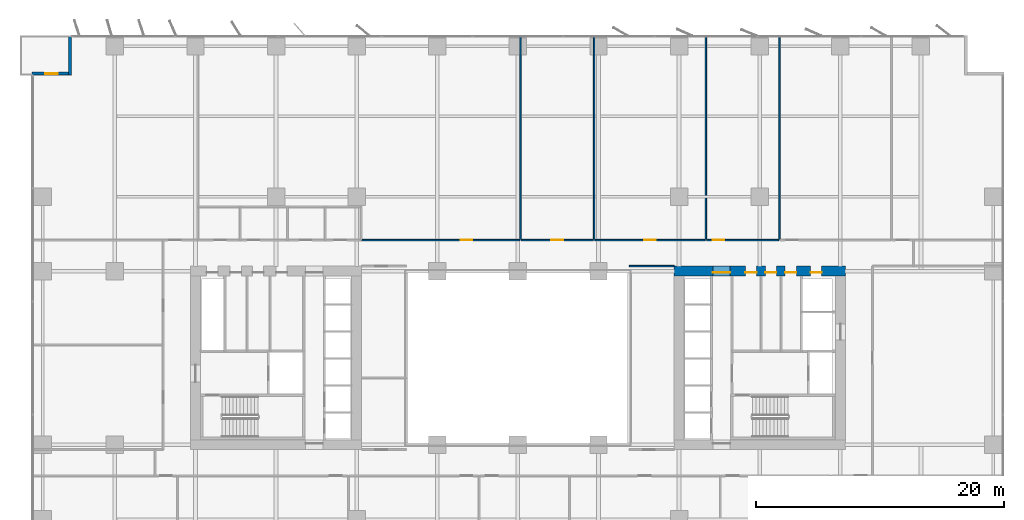
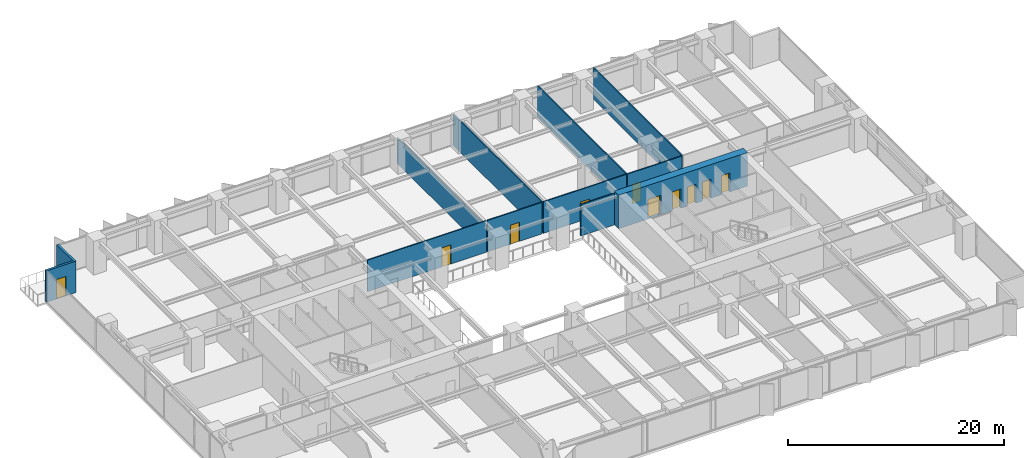
# One storey, part 15 of 20: 12 walls, 10 doors, 10 openings.
"""IFC4 building model written with IfcOpenShell, lengths in metres."""

import ifcopenshell
import ifcopenshell.guid

model = None  # the IFC model being written
_history = None  # IfcOwnerHistory: only IFC2X3 demands one
_inside = {}  # id of a spatial element -> (the spatial element, [elements in it])
_under = {}  # id of a project, library or spatial element -> (it, [spatial elements below it])
_declared = {}  # id of a project -> (the project, [libraries it declares])
_typed = {}  # id of a type object -> (the type object, [elements of that type])
_made_of = {}  # id of a material, layer set ... -> (it, [elements and type objects made of it])


def new_model(schema):
    """Start an empty IFC model of exactly this schema.

    Asked for "IFC4X3", IfcOpenShell would pick the latest addendum, in which some entities
    have other attributes; the version numbers below select the first issue.
    IFC2X3 requires an IfcOwnerHistory on every rooted entity: one is made here for all.
    """
    global model, _history
    if schema == "IFC4X3":
        model = ifcopenshell.file(schema_version=(4, 3, 0, 0))
    else:
        model = ifcopenshell.file(schema=schema)
    _inside.clear()
    _under.clear()
    _declared.clear()
    _typed.clear()
    _made_of.clear()
    _history = None
    if model.schema == "IFC2X3":
        org = make("IfcOrganization", Name="unknown")
        user = make(
            "IfcPersonAndOrganization",
            ThePerson=make("IfcPerson", FamilyName="unknown"),
            TheOrganization=org,
        )
        app = make(
            "IfcApplication",
            ApplicationDeveloper=org,
            Version="unknown",
            ApplicationFullName="unknown",
            ApplicationIdentifier="unknown",
        )
        _history = make(
            "IfcOwnerHistory",
            OwningUser=user,
            OwningApplication=app,
            ChangeAction="ADDED",
            CreationDate=0,
        )
    return model


def make(cls, **values):
    """One entity of the class cls with the attributes given. An attribute that is None is left unset."""
    return model.create_entity(
        cls, **{name: value for name, value in values.items() if value is not None}
    )


def rooted(cls, **values):
    """An entity with a GlobalId (a new one), such as an element, a storey or a relation."""
    return make(cls, GlobalId=ifcopenshell.guid.new(), OwnerHistory=_history, **values)


def si_unit(unit_type, name, prefix=None):
    """IfcSIUnit, for example si_unit("LENGTHUNIT", "METRE", prefix="MILLI")."""
    return make("IfcSIUnit", UnitType=unit_type, Prefix=prefix, Name=name)


def assignment(units):
    """IfcUnitAssignment: the units of a project."""
    return None if units is None else make("IfcUnitAssignment", Units=units)


def point(xyz):
    """IfcCartesianPoint."""
    return None if xyz is None else make("IfcCartesianPoint", Coordinates=xyz)


def direction(xyz):
    """IfcDirection."""
    return None if xyz is None else make("IfcDirection", DirectionRatios=xyz)


def frame(location, z_axis=None, x_axis=None):
    """IfcAxis2Placement3D, a coordinate frame: its origin and axes. An axis left out is left unset."""
    return make(
        "IfcAxis2Placement3D",
        Location=point(location),
        Axis=direction(z_axis),
        RefDirection=direction(x_axis),
    )


def frame_2d(location, x_axis=None):
    """IfcAxis2Placement2D, a coordinate frame in the plane: its origin and x axis."""
    return make(
        "IfcAxis2Placement2D", Location=point(location), RefDirection=direction(x_axis)
    )


def origin():
    """The frame at (0, 0, 0) with its axes left unset."""
    return frame((0.0, 0.0, 0.0))


def place(relative_to, where):
    """IfcLocalPlacement: puts the frame where relative to a parent placement (None: the world)."""
    return make(
        "IfcLocalPlacement", PlacementRelTo=relative_to, RelativePlacement=where
    )


def context(
    kind, dimensions, precision=None, world=None, true_north=None, identifier=None
):
    """IfcGeometricRepresentationContext, for example the 3D "Model" context."""
    return make(
        "IfcGeometricRepresentationContext",
        ContextIdentifier=identifier,
        ContextType=kind,
        CoordinateSpaceDimension=dimensions,
        Precision=precision,
        WorldCoordinateSystem=world,
        TrueNorth=true_north,
    )


def subcontext(parent, identifier, kind, view, scale=None):
    """IfcGeometricRepresentationSubContext, for example "Body" below "Model"."""
    return make(
        "IfcGeometricRepresentationSubContext",
        ContextIdentifier=identifier,
        ContextType=kind,
        ParentContext=parent,
        TargetScale=scale,
        TargetView=view,
    )


def project(units=None, contexts=None):
    """IfcProject with its units and contexts."""
    return rooted(
        "IfcProject",
        Name="project",
        RepresentationContexts=contexts,
        UnitsInContext=assignment(units),
    )


def spatial(cls, under=None, at=None, **own):
    """A site, building, storey or space (cls), placed at a placement, below another one or the project."""
    s = rooted(cls, ObjectPlacement=at, **own)
    if under is not None:
        _under.setdefault(under.id(), (under, []))[1].append(s)
    return s


def profile(cls, at=None, kind="AREA", **sizes):
    """A parametric profile (cls). Its sizes go by their IFC names, for example OverallWidth=200.0."""
    return make(cls, ProfileType=kind, Position=at, **sizes)


def rectangle(**sizes):
    """IfcRectangleProfileDef."""
    return profile("IfcRectangleProfileDef", **sizes)


def extrude(swept, where, along, depth):
    """IfcExtrudedAreaSolid: the profile swept, set in the frame where, extruded along a direction by depth."""
    return make(
        "IfcExtrudedAreaSolid",
        SweptArea=swept,
        Position=where,
        ExtrudedDirection=direction(along),
        Depth=depth,
    )


def shape(context_of_items, identifier, shape_type, items):
    """IfcShapeRepresentation: the items that make up one representation, for example the "Body"."""
    return make(
        "IfcShapeRepresentation",
        ContextOfItems=context_of_items,
        RepresentationIdentifier=identifier,
        RepresentationType=shape_type,
        Items=items,
    )


def material(Name=None, Category=None):
    """IfcMaterial."""
    return make("IfcMaterial", Name=Name, Category=Category)


def layer(
    of_material, thickness, ventilated=None, Name=None, Category=None, Priority=None
):
    """IfcMaterialLayer: one layer of a wall or slab, of a material (None: an air gap)."""
    return make(
        "IfcMaterialLayer",
        Material=of_material,
        LayerThickness=thickness,
        IsVentilated=ventilated,
        Name=Name,
        Category=Category,
        Priority=Priority,
    )


def layer_set(layers, Name=None):
    """IfcMaterialLayerSet."""
    return make("IfcMaterialLayerSet", MaterialLayers=layers, LayerSetName=Name)


def made_of(thing, what):
    """Note that an element or type object is made of a material, layer set ...; save() writes the relation."""
    if what is not None:
        _made_of.setdefault(what.id(), (what, []))[1].append(thing)
    return thing


def type_object(cls, material=None, **own):
    """A type object (cls), such as IfcWallType, which elements share."""
    return made_of(rooted(cls, **own), material)


def element(
    cls,
    number,
    at=None,
    inside=None,
    cuts=None,
    type_object=None,
    material=None,
    context=None,
    identifier="Body",
    shape_type=None,
    held_by="IfcProductDefinitionShape",
    body=None,
    shapes=None,
    **own,
):
    """One element of the class cls, such as IfcWall. Its Tag is "e" and its number.

    at: its placement. inside: the storey or other place that contains it. cuts: it is an
    opening in that element (IfcRelVoidsElement). A single representation is given by context,
    identifier, shape_type and body (its items); several are given by shapes. held_by: the class
    of the entity that holds the representations. save() writes the other relations.
    """
    e = rooted(cls, Tag="e%d" % number, ObjectPlacement=at, **own)
    if body is not None:
        shapes = [shape(context, identifier, shape_type, body)]
    if shapes is not None:
        e.Representation = make(held_by, Representations=shapes)
    if inside is not None:
        _inside.setdefault(inside.id(), (inside, []))[1].append(e)
    if cuts is not None:
        rooted(
            "IfcRelVoidsElement", RelatingBuildingElement=cuts, RelatedOpeningElement=e
        )
    if type_object is not None:
        _typed.setdefault(type_object.id(), (type_object, []))[1].append(e)
    return made_of(e, material)


def fill(opening, filler):
    """IfcRelFillsElement: the door or window that sits in an opening."""
    return rooted(
        "IfcRelFillsElement",
        RelatingOpeningElement=opening,
        RelatedBuildingElement=filler,
    )


def aggregate(whole, parts):
    """IfcRelAggregates: a whole, such as a stair, and the parts it consists of."""
    return rooted("IfcRelAggregates", RelatingObject=whole, RelatedObjects=parts)


def save(model, path):
    """Write the relations noted so far, then the file.

    IfcRelAggregates (storeys below a building ...), IfcRelContainedInSpatialStructure (elements
    in a storey), IfcRelDefinesByType, IfcRelAssociatesMaterial and IfcRelDeclares: one each for
    every whole, place, type object, material and project.
    """
    for whole, parts in _under.values():
        aggregate(whole, parts)
    for where, things in _inside.values():
        rooted(
            "IfcRelContainedInSpatialStructure",
            RelatedElements=things,
            RelatingStructure=where,
        )
    for kind, things in _typed.values():
        rooted("IfcRelDefinesByType", RelatedObjects=things, RelatingType=kind)
    for what, things in _made_of.values():
        rooted("IfcRelAssociatesMaterial", RelatedObjects=things, RelatingMaterial=what)
    for by, libraries in _declared.values():
        rooted("IfcRelDeclares", RelatingContext=by, RelatedDefinitions=libraries)
    model.write(path)


model = new_model("IFC4")

# Units and contexts
model_context = context("Model", 3, precision=1e-05, world=origin(), true_north=direction((0.0, 1.0)))
body_context = subcontext(model_context, "Body", "Model", "MODEL_VIEW")
ifc_project = project(units=[si_unit("LENGTHUNIT", "METRE"), si_unit("AREAUNIT", "SQUARE_METRE"), si_unit("VOLUMEUNIT", "CUBIC_METRE"), si_unit("PLANEANGLEUNIT", "RADIAN"), si_unit("MASSUNIT", "GRAM", prefix="KILO")], contexts=[model_context])

# Site, building, storey
site_placement = place(None, origin())
site = spatial("IfcSite", under=ifc_project, at=site_placement, CompositionType="ELEMENT")
building_placement = place(site_placement, origin())
building = spatial("IfcBuilding", under=site, at=building_placement, Name="Putna Gate Headquarters", CompositionType="ELEMENT")
storey_placement = place(building_placement, frame((0.0, 0.0, 73.39990234375)))
storey = spatial("IfcBuildingStorey", under=building, at=storey_placement, Name="L17", CompositionType="ELEMENT", Elevation=73.39990234375)

# Wall, openings, doors
ifc_material_1 = material(Name="Concrete C60/75", Category="concrete")
ifc_layer_1 = layer(ifc_material_1, 0.800048828125)
ifc_layer_set_1 = layer_set([ifc_layer_1], Name="Concrete C60/75")
wall_type_1 = type_object("IfcWallType", Name="WALL-CORE-800", PredefinedType="SHEAR", material=ifc_layer_set_1)
wall_1_placement = place(storey_placement, frame((51.60009765625, 33.0, 0.0), z_axis=(0.0, 0.0, 1.0), x_axis=(1.0, 0.0, 0.0)))
wall_1 = element("IfcWall", 1, at=wall_1_placement, inside=storey, type_object=wall_type_1, Name="L17 EC Split Core Shear Wall N", PredefinedType="SHEAR", context=body_context, shape_type="SweptSolid", body=[
    extrude(rectangle(XDim=13.7998046875, YDim=0.800048828125, at=frame_2d((6.89990234375, 0.0))), origin(), (0.0, 0.0, 1.0), 3.800048828125),
])
opening_1_placement = place(wall_1_placement, frame((3.1201171875, 0.0, 0.0)))
opening_1 = element("IfcOpeningElement", 2, at=opening_1_placement, cuts=wall_1, Name="Opening FDD-140", PredefinedType="OPENING", context=body_context, shape_type="SweptSolid", body=[
    extrude(rectangle(XDim=1.39990234375, YDim=2.199951171875, at=frame_2d((0.699951171875, 1.10009765625))), frame((0.0, 0.409912109375, 0.0), z_axis=(0.0, -1.0, 0.0), x_axis=(1.0, 0.0, 0.0)), (0.0, 0.0, 1.0), 0.820068359375),
])
opening_2_placement = place(wall_1_placement, frame((11.0, 0.0, 0.0)))
opening_2 = element("IfcOpeningElement", 3, at=opening_2_placement, cuts=wall_1, Name="Opening RD-90", PredefinedType="OPENING", context=body_context, shape_type="SweptSolid", body=[
    extrude(rectangle(XDim=0.89990234375, YDim=2.14990234375, at=frame_2d((0.449951171875, 1.074951171875))), frame((0.0, 0.409912109375, 0.0), z_axis=(0.0, -1.0, 0.0), x_axis=(1.0, 0.0, 0.0)), (0.0, 0.0, 1.0), 0.820068359375),
])
opening_3_placement = place(wall_1_placement, frame((5.75, 0.0, 0.0)))
opening_3 = element("IfcOpeningElement", 4, at=opening_3_placement, cuts=wall_1, Name="Opening IDS-90", PredefinedType="OPENING", context=body_context, shape_type="SweptSolid", body=[
    extrude(rectangle(XDim=0.89990234375, YDim=2.14990234375, at=frame_2d((0.449951171875, 1.074951171875))), frame((0.0, 0.409912109375, 0.0), z_axis=(0.0, -1.0, 0.0), x_axis=(1.0, 0.0, 0.0)), (0.0, 0.0, 1.0), 0.820068359375),
])
opening_4_placement = place(wall_1_placement, frame((7.35009765625, 0.0, 0.0)))
opening_4 = element("IfcOpeningElement", 5, at=opening_4_placement, cuts=wall_1, Name="Opening IDS-90", PredefinedType="OPENING", context=body_context, shape_type="SweptSolid", body=[
    extrude(rectangle(XDim=0.89990234375, YDim=2.14990234375, at=frame_2d((0.449951171875, 1.074951171875))), frame((0.0, 0.409912109375, 0.0), z_axis=(0.0, -1.0, 0.0), x_axis=(1.0, 0.0, 0.0)), (0.0, 0.0, 1.0), 0.820068359375),
])
opening_5_placement = place(wall_1_placement, frame((8.949951171875, 0.0, 0.0)))
opening_5 = element("IfcOpeningElement", 6, at=opening_5_placement, cuts=wall_1, Name="Opening IDS-90", PredefinedType="OPENING", context=body_context, shape_type="SweptSolid", body=[
    extrude(rectangle(XDim=0.89990234375, YDim=2.14990234375, at=frame_2d((0.449951171875, 1.074951171875))), frame((0.0, 0.409912109375, 0.0), z_axis=(0.0, -1.0, 0.0), x_axis=(1.0, 0.0, 0.0)), (0.0, 0.0, 1.0), 0.820068359375),
])
ifc_material_2 = material(Name="Double steel fire door", Category="steel")
door_type_1 = type_object("IfcDoorType", Name="DOOR-FIRE-DBL-1400", OperationType="DOUBLE_DOOR_SINGLE_SWING", PredefinedType="DOOR", material=ifc_material_2)
door_1_placement = place(opening_1_placement, origin())
door_1 = element("IfcDoor", 7, at=door_1_placement, inside=storey, type_object=door_type_1, Name="L17 East Lift Lobby North Door", OperationType="DOUBLE_DOOR_SINGLE_SWING", OverallHeight=2.199951171875, OverallWidth=1.39990234375, PredefinedType="DOOR", context=body_context, shape_type="SweptSolid", body=[
    extrude(rectangle(XDim=1.39990234375, YDim=2.199951171875, at=frame_2d((0.699951171875, 1.10009765625))), frame((0.0, -0.0751953125, 0.0), z_axis=(0.0, -1.0, 0.0), x_axis=(1.0, 0.0, 0.0)), (0.0, 0.0, 1.0), 0.050048828125),
])
fill(opening_1, door_1)
ifc_material_3 = material(Name="Fire-rated utility door")
door_type_2 = type_object("IfcDoorType", Name="DOOR-INT-900", OperationType="NOTDEFINED", PredefinedType="DOOR", material=ifc_material_3)
door_2_placement = place(opening_3_placement, origin())
door_2 = element("IfcDoor", 8, at=door_2_placement, inside=storey, type_object=door_type_2, Name="L17 East Cleaner Store Door", OperationType="SINGLE_SWING_RIGHT", OverallHeight=2.14990234375, OverallWidth=0.89990234375, PredefinedType="DOOR", context=body_context, shape_type="SweptSolid", body=[
    extrude(rectangle(XDim=0.89990234375, YDim=2.14990234375, at=frame_2d((0.449951171875, 1.074951171875))), frame((0.0, -0.0751953125, 0.0), z_axis=(0.0, -1.0, 0.0), x_axis=(1.0, 0.0, 0.0)), (0.0, 0.0, 1.0), 0.050048828125),
])
fill(opening_3, door_2)
door_3_placement = place(opening_4_placement, origin())
door_3 = element("IfcDoor", 9, at=door_3_placement, inside=storey, type_object=door_type_2, Name="L17 BMS Outstation Door", OperationType="SINGLE_SWING_LEFT", OverallHeight=2.14990234375, OverallWidth=0.89990234375, PredefinedType="DOOR", context=body_context, shape_type="SweptSolid", body=[
    extrude(rectangle(XDim=0.89990234375, YDim=2.14990234375, at=frame_2d((0.449951171875, 1.074951171875))), frame((0.0, -0.0751953125, 0.0), z_axis=(0.0, -1.0, 0.0), x_axis=(1.0, 0.0, 0.0)), (0.0, 0.0, 1.0), 0.050048828125),
])
fill(opening_4, door_3)
door_4_placement = place(opening_5_placement, origin())
door_4 = element("IfcDoor", 10, at=door_4_placement, inside=storey, type_object=door_type_2, Name="L17 Facilities Equipment Store Door", OperationType="SINGLE_SWING_RIGHT", OverallHeight=2.14990234375, OverallWidth=0.89990234375, PredefinedType="DOOR", context=body_context, shape_type="SweptSolid", body=[
    extrude(rectangle(XDim=0.89990234375, YDim=2.14990234375, at=frame_2d((0.449951171875, 1.074951171875))), frame((0.0, -0.0751953125, 0.0), z_axis=(0.0, -1.0, 0.0), x_axis=(1.0, 0.0, 0.0)), (0.0, 0.0, 1.0), 0.050048828125),
])
fill(opening_5, door_4)
ifc_material_4 = material(Name="Steel riser access fire door", Category="steel")
door_type_3 = type_object("IfcDoorType", Name="DOOR-RISER-900", OperationType="NOTDEFINED", PredefinedType="DOOR", material=ifc_material_4)
door_5_placement = place(opening_2_placement, origin())
door_5 = element("IfcDoor", 11, at=door_5_placement, inside=storey, type_object=door_type_3, Name="L17 East Riser Access Door", OperationType="SINGLE_SWING_LEFT", OverallHeight=2.14990234375, OverallWidth=0.89990234375, PredefinedType="DOOR", context=body_context, shape_type="SweptSolid", body=[
    extrude(rectangle(XDim=0.89990234375, YDim=2.14990234375, at=frame_2d((0.449951171875, 1.074951171875))), frame((0.0, -0.0751953125, 0.0), z_axis=(0.0, -1.0, 0.0), x_axis=(1.0, 0.0, 0.0)), (0.0, 0.0, 1.0), 0.050048828125),
])
fill(opening_2, door_5)

# Wall
ifc_material_5 = material(Name="Precast concrete C40/50", Category="concrete")
ifc_layer_2 = layer(ifc_material_5, 0.239990234375)
ifc_layer_set_2 = layer_set([ifc_layer_2], Name="Precast concrete C40/50")
wall_type_2 = type_object("IfcWallType", Name="WALL-EXT-TERR-240", PredefinedType="STANDARD", material=ifc_layer_set_2)
wall_2_placement = place(storey_placement, frame((2.8798828125, 48.800048828125, 0.0), z_axis=(0.0, 0.0, 1.0), x_axis=(0.0, 1.0, 0.0)))
element("IfcWall", 12, at=wall_2_placement, inside=storey, type_object=wall_type_2, Name="L17 Corner Notch Return Wall NW-V", PredefinedType="STANDARD", context=body_context, shape_type="SweptSolid", body=[
    extrude(rectangle(XDim=3.199951171875, YDim=0.239990234375, at=frame_2d((1.60009765625, 0.0))), origin(), (0.0, 0.0, 1.0), 3.550048828125),
])

# Wall, opening, door
wall_3_placement = place(storey_placement, frame((-0.199951171875, 48.919921875, 0.0), z_axis=(0.0, 0.0, 1.0), x_axis=(1.0, 0.0, 0.0)))
wall_3 = element("IfcWall", 13, at=wall_3_placement, inside=storey, type_object=wall_type_2, Name="L17 Corner Notch Return Wall NW-H", PredefinedType="STANDARD", context=body_context, shape_type="SweptSolid", body=[
    extrude(rectangle(XDim=3.199951171875, YDim=0.239990234375, at=frame_2d((1.60009765625, 0.0))), origin(), (0.0, 0.0, 1.0), 3.550048828125),
])
opening_6_placement = place(wall_3_placement, frame((1.10009765625, 0.0, 0.0)))
opening_6 = element("IfcOpeningElement", 14, at=opening_6_placement, cuts=wall_3, Name="Opening TRD-1", PredefinedType="OPENING", context=body_context, shape_type="SweptSolid", body=[
    extrude(rectangle(XDim=1.0, YDim=2.199951171875, at=frame_2d((0.5, 1.10009765625))), frame((0.0, 0.1298828125, 0.0), z_axis=(0.0, -1.0, 0.0), x_axis=(1.0, 0.0, 0.0)), (0.0, 0.0, 1.0), 0.260009765625),
])
ifc_material_6 = material(Name="Thermally broken bronze glazed terrace door")
door_type_4 = type_object("IfcDoorType", Name="DOOR-TERR-EXT-1000", OperationType="NOTDEFINED", PredefinedType="DOOR", material=ifc_material_6)
door_6_placement = place(opening_6_placement, origin())
door_6 = element("IfcDoor", 15, at=door_6_placement, inside=storey, type_object=door_type_4, Name="L17 Spiral Sky Terrace Door NW", OperationType="SINGLE_SWING_RIGHT", OverallHeight=2.199951171875, OverallWidth=1.0, PredefinedType="DOOR", context=body_context, shape_type="SweptSolid", body=[
    extrude(rectangle(XDim=1.0, YDim=2.199951171875, at=frame_2d((0.5, 1.10009765625))), frame((0.0, 0.02490234375, 0.0), z_axis=(0.0, -1.0, 0.0), x_axis=(1.0, 0.0, 0.0)), (0.0, 0.0, 1.0), 0.050048828125),
])
fill(opening_6, door_6)

# Walls
ifc_material_7 = material(Name="Acoustic gypsum board on metal stud")
ifc_layer_3 = layer(ifc_material_7, 0.1201171875)
ifc_layer_set_3 = layer_set([ifc_layer_3], Name="Acoustic gypsum board on metal stud")
wall_type_3 = type_object("IfcWallType", Name="WALL-PART-120", PredefinedType="PARTITIONING", material=ifc_layer_set_3)
wall_4_placement = place(storey_placement, frame((48.0, 33.39990234375, 0.0), z_axis=(0.0, 0.0, 1.0), x_axis=(1.0, 0.0, 0.0)))
element("IfcWall", 16, at=wall_4_placement, inside=storey, type_object=wall_type_3, Name="L17 Interior Wall PART-L17-ATR-E-N", PredefinedType="PARTITIONING", context=body_context, shape_type="SweptSolid", body=[
    extrude(rectangle(XDim=3.60009765625, YDim=0.1201171875, at=frame_2d((1.800048828125, 0.0))), origin(), (0.0, 0.0, 1.0), 3.550048828125),
])
wall_5_placement = place(storey_placement, frame((39.199951171875, 35.56005859375, 0.0), z_axis=(0.0, 0.0, 1.0), x_axis=(0.0, 1.0, 0.0)))
element("IfcWall", 17, at=wall_5_placement, inside=storey, type_object=wall_type_3, Name="L17 Interior Wall PART-L17-NB-DIV-02", PredefinedType="PARTITIONING", context=body_context, shape_type="SweptSolid", body=[
    extrude(rectangle(XDim=16.419921875, YDim=0.1201171875, at=frame_2d((8.2099609375, 0.0))), origin(), (0.0, 0.0, 1.0), 2.900146484375),
])
for number, where, z_axis, x_axis, name in (
    (18, (45.138427734375, 35.56005859375, 0.0), (0.0, 0.0, 1.0), (0.0, 1.0, 0.0), "L17 Interior Wall PART-L17-NB-DIV-03"),
    (19, (54.156005859375, 35.56005859375, 0.0), (0.0, 0.0, 1.0), (0.0, 1.0, 0.0), "L17 Interior Wall PART-L17-NB-DIV-04"),
    (20, (60.094482421875, 35.56005859375, 0.0), (0.0, 0.0, 1.0), (0.0, 1.0, 0.0), "L17 Interior Wall PART-L17-NB-DIV-05"),
):
    element("IfcWall", number, at=place(storey_placement, frame(where, z_axis=z_axis, x_axis=x_axis)), inside=storey, type_object=wall_type_3, Name=name, PredefinedType="PARTITIONING", context=body_context, shape_type="SweptSolid", body=[
        extrude(rectangle(XDim=16.419921875, YDim=0.1201171875, at=frame_2d((8.2099609375, 0.0))), origin(), (0.0, 0.0, 1.0), 3.550048828125),
    ])

# Wall, opening, door
ifc_material_8 = material(Name="Fire-rated gypsum board on metal stud")
ifc_layer_4 = layer(ifc_material_8, 0.1201171875)
ifc_layer_set_4 = layer_set([ifc_layer_4], Name="Fire-rated gypsum board on metal stud")
wall_type_4 = type_object("IfcWallType", Name="WALL-PART-120-RATED", PredefinedType="PARTITIONING", material=ifc_layer_set_4)
wall_6_placement = place(storey_placement, frame((26.419921875, 35.5, 0.0), z_axis=(0.0, 0.0, 1.0), x_axis=(1.0, 0.0, 0.0)))
wall_6 = element("IfcWall", 21, at=wall_6_placement, inside=storey, type_object=wall_type_4, Name="L17 Interior Wall PART-L17-NB-CW-02", PredefinedType="PARTITIONING", context=body_context, shape_type="SweptSolid", body=[
    extrude(rectangle(XDim=12.719970703125, YDim=0.1201171875, at=frame_2d((6.35986328125, 0.0))), origin(), (0.0, 0.0, 1.0), 3.550048828125),
])
opening_7_placement = place(wall_6_placement, frame((7.9541015625, 0.0, 0.0)))
opening_7 = element("IfcOpeningElement", 22, at=opening_7_placement, cuts=wall_6, Name="Opening FD-95", PredefinedType="OPENING", context=body_context, shape_type="SweptSolid", body=[
    extrude(rectangle(XDim=0.949951171875, YDim=2.14990234375, at=frame_2d((0.47509765625, 1.074951171875))), frame((0.0, 0.070068359375, 0.0), z_axis=(0.0, -1.0, 0.0), x_axis=(1.0, 0.0, 0.0)), (0.0, 0.0, 1.0), 0.14013671875),
])
ifc_material_9 = material(Name="Acoustic timber fire door", Category="wood")
door_type_5 = type_object("IfcDoorType", Name="DOOR-FIRE-950", OperationType="NOTDEFINED", PredefinedType="DOOR", material=ifc_material_9)
door_7_placement = place(opening_7_placement, origin())
door_7 = element("IfcDoor", 23, at=door_7_placement, inside=storey, type_object=door_type_5, Name="L17 Primary Open Office Workplace Door", OperationType="SINGLE_SWING_LEFT", OverallHeight=2.14990234375, OverallWidth=0.949951171875, PredefinedType="DOOR", context=body_context, shape_type="SweptSolid", body=[
    extrude(rectangle(XDim=0.949951171875, YDim=2.14990234375, at=frame_2d((0.47509765625, 1.074951171875))), frame((0.0, 0.02490234375, 0.0), z_axis=(0.0, -1.0, 0.0), x_axis=(1.0, 0.0, 0.0)), (0.0, 0.0, 1.0), 0.050048828125),
])
fill(opening_7, door_7)

wall_7_placement = place(storey_placement, frame((39.260009765625, 35.5, 0.0), z_axis=(0.0, 0.0, 1.0), x_axis=(1.0, 0.0, 0.0)))
wall_7 = element("IfcWall", 24, at=wall_7_placement, inside=storey, type_object=wall_type_4, Name="L17 Interior Wall PART-L17-NB-CW-03", PredefinedType="PARTITIONING", context=body_context, shape_type="SweptSolid", body=[
    extrude(rectangle(XDim=5.818603515625, YDim=0.1201171875, at=frame_2d((2.9091796875, 0.0))), origin(), (0.0, 0.0, 1.0), 3.550048828125),
])
opening_8_placement = place(wall_7_placement, frame((2.434326171875, 0.0, 0.0)))
opening_8 = element("IfcOpeningElement", 25, at=opening_8_placement, cuts=wall_7, Name="Opening FD-95", PredefinedType="OPENING", context=body_context, shape_type="SweptSolid", body=[
    extrude(rectangle(XDim=0.949951171875, YDim=2.14990234375, at=frame_2d((0.47509765625, 1.074951171875))), frame((0.0, 0.070068359375, 0.0), z_axis=(0.0, -1.0, 0.0), x_axis=(1.0, 0.0, 0.0)), (0.0, 0.0, 1.0), 0.14013671875),
])
door_8_placement = place(opening_8_placement, origin())
door_8 = element("IfcDoor", 26, at=door_8_placement, inside=storey, type_object=door_type_5, Name="L17 Conference Meeting Room 2 Door", OperationType="SINGLE_SWING_RIGHT", OverallHeight=2.14990234375, OverallWidth=0.949951171875, PredefinedType="DOOR", context=body_context, shape_type="SweptSolid", body=[
    extrude(rectangle(XDim=0.949951171875, YDim=2.14990234375, at=frame_2d((0.47509765625, 1.074951171875))), frame((0.0, 0.02490234375, 0.0), z_axis=(0.0, -1.0, 0.0), x_axis=(1.0, 0.0, 0.0)), (0.0, 0.0, 1.0), 0.050048828125),
])
fill(opening_8, door_8)

wall_8_placement = place(storey_placement, frame((45.198486328125, 35.5, 0.0), z_axis=(0.0, 0.0, 1.0), x_axis=(1.0, 0.0, 0.0)))
wall_8 = element("IfcWall", 27, at=wall_8_placement, inside=storey, type_object=wall_type_4, Name="L17 Interior Wall PART-L17-NB-CW-04", PredefinedType="PARTITIONING", context=body_context, shape_type="SweptSolid", body=[
    extrude(rectangle(XDim=8.897705078125, YDim=0.1201171875, at=frame_2d((4.44873046875, 0.0))), origin(), (0.0, 0.0, 1.0), 3.550048828125),
])
opening_9_placement = place(wall_8_placement, frame((3.973876953125, 0.0, 0.0)))
opening_9 = element("IfcOpeningElement", 28, at=opening_9_placement, cuts=wall_8, Name="Opening FD-95", PredefinedType="OPENING", context=body_context, shape_type="SweptSolid", body=[
    extrude(rectangle(XDim=0.949951171875, YDim=2.14990234375, at=frame_2d((0.47509765625, 1.074951171875))), frame((0.0, 0.070068359375, 0.0), z_axis=(0.0, -1.0, 0.0), x_axis=(1.0, 0.0, 0.0)), (0.0, 0.0, 1.0), 0.14013671875),
])
door_9_placement = place(opening_9_placement, origin())
door_9 = element("IfcDoor", 29, at=door_9_placement, inside=storey, type_object=door_type_5, Name="L17 Conference Meeting Room 3 Door", OperationType="SINGLE_SWING_LEFT", OverallHeight=2.14990234375, OverallWidth=0.949951171875, PredefinedType="DOOR", context=body_context, shape_type="SweptSolid", body=[
    extrude(rectangle(XDim=0.949951171875, YDim=2.14990234375, at=frame_2d((0.47509765625, 1.074951171875))), frame((0.0, 0.02490234375, 0.0), z_axis=(0.0, -1.0, 0.0), x_axis=(1.0, 0.0, 0.0)), (0.0, 0.0, 1.0), 0.050048828125),
])
fill(opening_9, door_9)

wall_9_placement = place(storey_placement, frame((54.216064453125, 35.5, 0.0), z_axis=(0.0, 0.0, 1.0), x_axis=(1.0, 0.0, 0.0)))
wall_9 = element("IfcWall", 30, at=wall_9_placement, inside=storey, type_object=wall_type_4, Name="L17 Interior Wall PART-L17-NB-CW-05", PredefinedType="PARTITIONING", context=body_context, shape_type="SweptSolid", body=[
    extrude(rectangle(XDim=5.818603515625, YDim=0.1201171875, at=frame_2d((2.9091796875, 0.0))), origin(), (0.0, 0.0, 1.0), 3.550048828125),
])
opening_10_placement = place(wall_9_placement, frame((0.47998046875, 0.0, 0.0)))
opening_10 = element("IfcOpeningElement", 31, at=opening_10_placement, cuts=wall_9, Name="Opening FD-95", PredefinedType="OPENING", context=body_context, shape_type="SweptSolid", body=[
    extrude(rectangle(XDim=0.949951171875, YDim=2.14990234375, at=frame_2d((0.47509765625, 1.074951171875))), frame((0.0, 0.070068359375, 0.0), z_axis=(0.0, -1.0, 0.0), x_axis=(1.0, 0.0, 0.0)), (0.0, 0.0, 1.0), 0.14013671875),
])
door_10_placement = place(opening_10_placement, origin())
door_10 = element("IfcDoor", 32, at=door_10_placement, inside=storey, type_object=door_type_5, Name="L17 Conference Meeting Room 4 Door", OperationType="SINGLE_SWING_RIGHT", OverallHeight=2.14990234375, OverallWidth=0.949951171875, PredefinedType="DOOR", context=body_context, shape_type="SweptSolid", body=[
    extrude(rectangle(XDim=0.949951171875, YDim=2.14990234375, at=frame_2d((0.47509765625, 1.074951171875))), frame((0.0, 0.02490234375, 0.0), z_axis=(0.0, -1.0, 0.0), x_axis=(1.0, 0.0, 0.0)), (0.0, 0.0, 1.0), 0.050048828125),
])
fill(opening_10, door_10)

save(model, "model.ifc")
